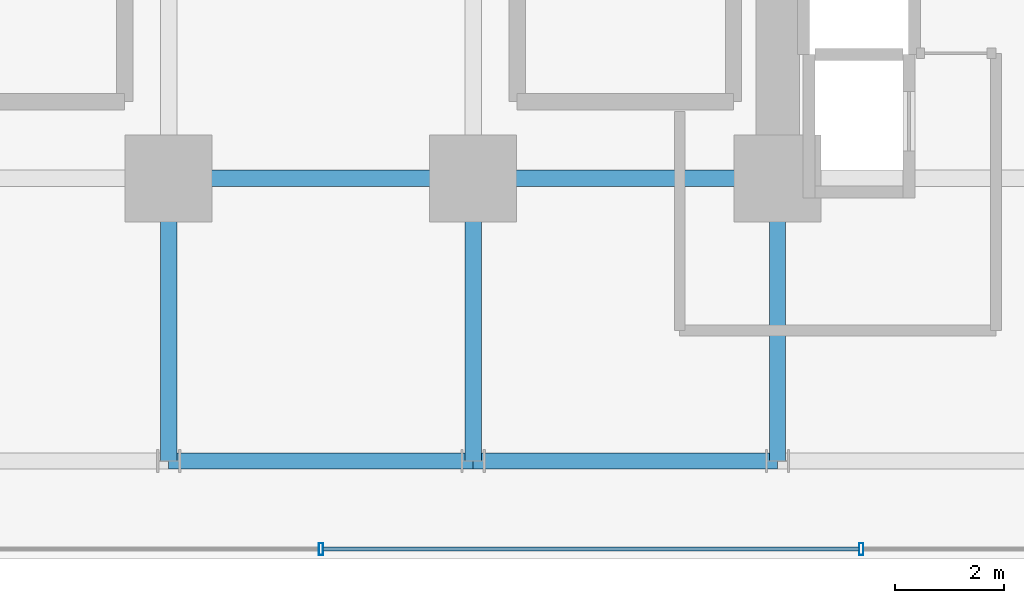
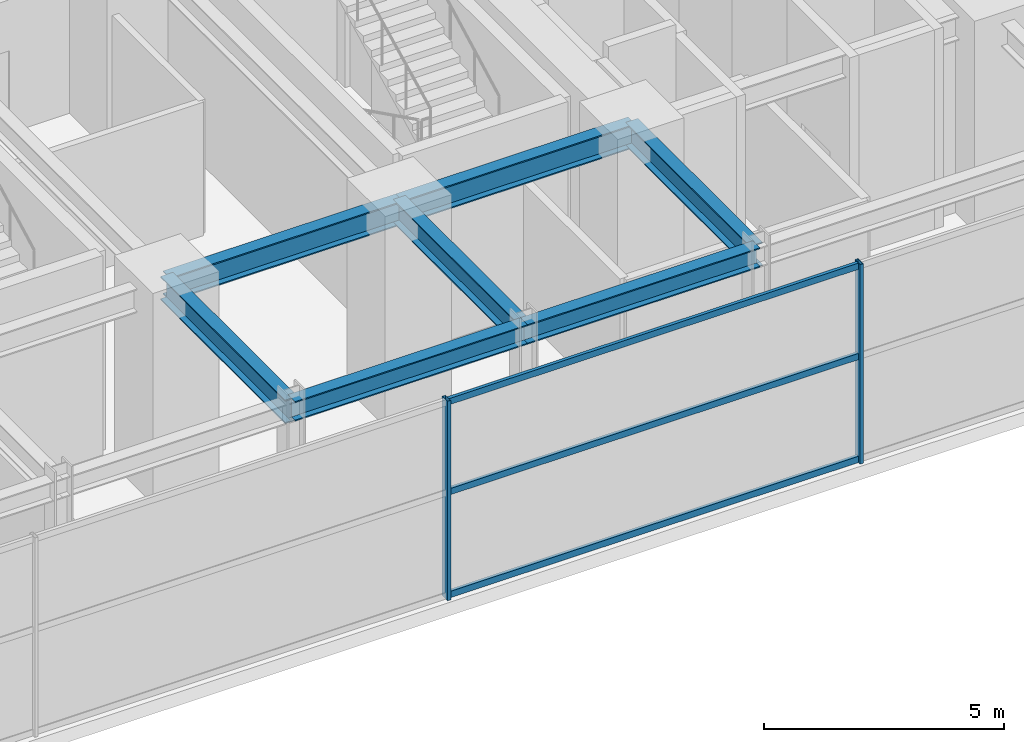
# One storey, part 9 of 34: 7 beams, 5 members, 1 element without a shape of its own.
"""IFC4 building model written with IfcOpenShell, lengths in metres."""

import ifcopenshell
import ifcopenshell.guid

model = None  # the IFC model being written
_history = None  # IfcOwnerHistory: only IFC2X3 demands one
_inside = {}  # id of a spatial element -> (the spatial element, [elements in it])
_under = {}  # id of a project, library or spatial element -> (it, [spatial elements below it])
_declared = {}  # id of a project -> (the project, [libraries it declares])
_typed = {}  # id of a type object -> (the type object, [elements of that type])
_made_of = {}  # id of a material, layer set ... -> (it, [elements and type objects made of it])


def new_model(schema):
    """Start an empty IFC model of exactly this schema.

    Asked for "IFC4X3", IfcOpenShell would pick the latest addendum, in which some entities
    have other attributes; the version numbers below select the first issue.
    IFC2X3 requires an IfcOwnerHistory on every rooted entity: one is made here for all.
    """
    global model, _history
    if schema == "IFC4X3":
        model = ifcopenshell.file(schema_version=(4, 3, 0, 0))
    else:
        model = ifcopenshell.file(schema=schema)
    _inside.clear()
    _under.clear()
    _declared.clear()
    _typed.clear()
    _made_of.clear()
    _history = None
    if model.schema == "IFC2X3":
        org = make("IfcOrganization", Name="unknown")
        user = make(
            "IfcPersonAndOrganization",
            ThePerson=make("IfcPerson", FamilyName="unknown"),
            TheOrganization=org,
        )
        app = make(
            "IfcApplication",
            ApplicationDeveloper=org,
            Version="unknown",
            ApplicationFullName="unknown",
            ApplicationIdentifier="unknown",
        )
        _history = make(
            "IfcOwnerHistory",
            OwningUser=user,
            OwningApplication=app,
            ChangeAction="ADDED",
            CreationDate=0,
        )
    return model


def make(cls, **values):
    """One entity of the class cls with the attributes given. An attribute that is None is left unset."""
    return model.create_entity(
        cls, **{name: value for name, value in values.items() if value is not None}
    )


def rooted(cls, **values):
    """An entity with a GlobalId (a new one), such as an element, a storey or a relation."""
    return make(cls, GlobalId=ifcopenshell.guid.new(), OwnerHistory=_history, **values)


def si_unit(unit_type, name, prefix=None):
    """IfcSIUnit, for example si_unit("LENGTHUNIT", "METRE", prefix="MILLI")."""
    return make("IfcSIUnit", UnitType=unit_type, Prefix=prefix, Name=name)


def assignment(units):
    """IfcUnitAssignment: the units of a project."""
    return None if units is None else make("IfcUnitAssignment", Units=units)


def point(xyz):
    """IfcCartesianPoint."""
    return None if xyz is None else make("IfcCartesianPoint", Coordinates=xyz)


def direction(xyz):
    """IfcDirection."""
    return None if xyz is None else make("IfcDirection", DirectionRatios=xyz)


def frame(location, z_axis=None, x_axis=None):
    """IfcAxis2Placement3D, a coordinate frame: its origin and axes. An axis left out is left unset."""
    return make(
        "IfcAxis2Placement3D",
        Location=point(location),
        Axis=direction(z_axis),
        RefDirection=direction(x_axis),
    )


def frame_2d(location, x_axis=None):
    """IfcAxis2Placement2D, a coordinate frame in the plane: its origin and x axis."""
    return make(
        "IfcAxis2Placement2D", Location=point(location), RefDirection=direction(x_axis)
    )


def origin():
    """The frame at (0, 0, 0) with its axes left unset."""
    return frame((0.0, 0.0, 0.0))


def origin_2d():
    """The frame at (0, 0) in the plane with its x axis left unset."""
    return frame_2d((0.0, 0.0))


def place(relative_to, where):
    """IfcLocalPlacement: puts the frame where relative to a parent placement (None: the world)."""
    return make(
        "IfcLocalPlacement", PlacementRelTo=relative_to, RelativePlacement=where
    )


def context(
    kind, dimensions, precision=None, world=None, true_north=None, identifier=None
):
    """IfcGeometricRepresentationContext, for example the 3D "Model" context."""
    return make(
        "IfcGeometricRepresentationContext",
        ContextIdentifier=identifier,
        ContextType=kind,
        CoordinateSpaceDimension=dimensions,
        Precision=precision,
        WorldCoordinateSystem=world,
        TrueNorth=true_north,
    )


def subcontext(parent, identifier, kind, view, scale=None):
    """IfcGeometricRepresentationSubContext, for example "Body" below "Model"."""
    return make(
        "IfcGeometricRepresentationSubContext",
        ContextIdentifier=identifier,
        ContextType=kind,
        ParentContext=parent,
        TargetScale=scale,
        TargetView=view,
    )


def project(units=None, contexts=None):
    """IfcProject with its units and contexts."""
    return rooted(
        "IfcProject",
        Name="project",
        RepresentationContexts=contexts,
        UnitsInContext=assignment(units),
    )


def spatial(cls, under=None, at=None, **own):
    """A site, building, storey or space (cls), placed at a placement, below another one or the project."""
    s = rooted(cls, ObjectPlacement=at, **own)
    if under is not None:
        _under.setdefault(under.id(), (under, []))[1].append(s)
    return s


def profile(cls, at=None, kind="AREA", **sizes):
    """A parametric profile (cls). Its sizes go by their IFC names, for example OverallWidth=200.0."""
    return make(cls, ProfileType=kind, Position=at, **sizes)


def hollow_rectangle(**sizes):
    """IfcRectangleHollowProfileDef."""
    return profile("IfcRectangleHollowProfileDef", **sizes)


def i_section(**sizes):
    """IfcIShapeProfileDef."""
    return profile("IfcIShapeProfileDef", **sizes)


def extrude(swept, where, along, depth):
    """IfcExtrudedAreaSolid: the profile swept, set in the frame where, extruded along a direction by depth."""
    return make(
        "IfcExtrudedAreaSolid",
        SweptArea=swept,
        Position=where,
        ExtrudedDirection=direction(along),
        Depth=depth,
    )


def shape(context_of_items, identifier, shape_type, items):
    """IfcShapeRepresentation: the items that make up one representation, for example the "Body"."""
    return make(
        "IfcShapeRepresentation",
        ContextOfItems=context_of_items,
        RepresentationIdentifier=identifier,
        RepresentationType=shape_type,
        Items=items,
    )


def source(mapping_origin, context_of_items, identifier, shape_type, items):
    """IfcRepresentationMap: a shape defined once, which mapped items show again and again."""
    return make(
        "IfcRepresentationMap",
        MappingOrigin=mapping_origin,
        MappedRepresentation=shape(context_of_items, identifier, shape_type, items),
    )


def transform(
    local_origin,
    x_axis=None,
    y_axis=None,
    z_axis=None,
    scale=None,
    scale2=None,
    scale3=None,
    uniform=True,
):
    """IfcCartesianTransformationOperator3D, or its non-uniform kind. x_axis, y_axis, z_axis: its Axis1, 2, 3."""
    if uniform:
        return make(
            "IfcCartesianTransformationOperator3D",
            Axis1=direction(x_axis),
            Axis2=direction(y_axis),
            LocalOrigin=point(local_origin),
            Scale=scale,
            Axis3=direction(z_axis),
        )
    return make(
        "IfcCartesianTransformationOperator3DnonUniform",
        Axis1=direction(x_axis),
        Axis2=direction(y_axis),
        LocalOrigin=point(local_origin),
        Scale=scale,
        Axis3=direction(z_axis),
        Scale2=scale2,
        Scale3=scale3,
    )


def mapped(mapping_source, mapping_target):
    """IfcMappedItem: shows the shape of a source again, moved by a transform."""
    return make(
        "IfcMappedItem", MappingSource=mapping_source, MappingTarget=mapping_target
    )


def material(Name=None, Category=None):
    """IfcMaterial."""
    return make("IfcMaterial", Name=Name, Category=Category)


def material_profile(
    of_material, cross_section, Name=None, Category=None, Priority=None
):
    """IfcMaterialProfile: a cross section and its material."""
    return make(
        "IfcMaterialProfile",
        Name=Name,
        Material=of_material,
        Profile=cross_section,
        Priority=Priority,
        Category=Category,
    )


def profile_set(profiles, Name=None, composite=None):
    """IfcMaterialProfileSet."""
    return make(
        "IfcMaterialProfileSet",
        Name=Name,
        MaterialProfiles=profiles,
        CompositeProfile=composite,
    )


def made_of(thing, what):
    """Note that an element or type object is made of a material, layer set ...; save() writes the relation."""
    if what is not None:
        _made_of.setdefault(what.id(), (what, []))[1].append(thing)
    return thing


def type_object(cls, material=None, **own):
    """A type object (cls), such as IfcWallType, which elements share."""
    return made_of(rooted(cls, **own), material)


def element(
    cls,
    number,
    at=None,
    inside=None,
    cuts=None,
    type_object=None,
    material=None,
    context=None,
    identifier="Body",
    shape_type=None,
    held_by="IfcProductDefinitionShape",
    body=None,
    shapes=None,
    **own,
):
    """One element of the class cls, such as IfcWall. Its Tag is "e" and its number.

    at: its placement. inside: the storey or other place that contains it. cuts: it is an
    opening in that element (IfcRelVoidsElement). A single representation is given by context,
    identifier, shape_type and body (its items); several are given by shapes. held_by: the class
    of the entity that holds the representations. save() writes the other relations.
    """
    e = rooted(cls, Tag="e%d" % number, ObjectPlacement=at, **own)
    if body is not None:
        shapes = [shape(context, identifier, shape_type, body)]
    if shapes is not None:
        e.Representation = make(held_by, Representations=shapes)
    if inside is not None:
        _inside.setdefault(inside.id(), (inside, []))[1].append(e)
    if cuts is not None:
        rooted(
            "IfcRelVoidsElement", RelatingBuildingElement=cuts, RelatedOpeningElement=e
        )
    if type_object is not None:
        _typed.setdefault(type_object.id(), (type_object, []))[1].append(e)
    return made_of(e, material)


def aggregate(whole, parts):
    """IfcRelAggregates: a whole, such as a stair, and the parts it consists of."""
    return rooted("IfcRelAggregates", RelatingObject=whole, RelatedObjects=parts)


def save(model, path):
    """Write the relations noted so far, then the file.

    IfcRelAggregates (storeys below a building ...), IfcRelContainedInSpatialStructure (elements
    in a storey), IfcRelDefinesByType, IfcRelAssociatesMaterial and IfcRelDeclares: one each for
    every whole, place, type object, material and project.
    """
    for whole, parts in _under.values():
        aggregate(whole, parts)
    for where, things in _inside.values():
        rooted(
            "IfcRelContainedInSpatialStructure",
            RelatedElements=things,
            RelatingStructure=where,
        )
    for kind, things in _typed.values():
        rooted("IfcRelDefinesByType", RelatedObjects=things, RelatingType=kind)
    for what, things in _made_of.values():
        rooted("IfcRelAssociatesMaterial", RelatedObjects=things, RelatingMaterial=what)
    for by, libraries in _declared.values():
        rooted("IfcRelDeclares", RelatingContext=by, RelatedDefinitions=libraries)
    model.write(path)


model = new_model("IFC4")

# Units and contexts
model_context = context("Model", 3, precision=1e-05, world=origin(), true_north=direction((0.0, 1.0)))
body_context = subcontext(model_context, "Body", "Model", "MODEL_VIEW")
ifc_project = project(units=[si_unit("LENGTHUNIT", "METRE"), si_unit("AREAUNIT", "SQUARE_METRE"), si_unit("VOLUMEUNIT", "CUBIC_METRE"), si_unit("PLANEANGLEUNIT", "RADIAN"), si_unit("MASSUNIT", "GRAM", prefix="KILO")], contexts=[model_context])

# Site, building, storey
site_placement = place(None, origin())
site = spatial("IfcSite", under=ifc_project, at=site_placement, CompositionType="ELEMENT")
building_placement = place(site_placement, origin())
building = spatial("IfcBuilding", under=site, at=building_placement, Name="Nahalor Promenade Grand Hotel", CompositionType="ELEMENT")
storey_placement = place(building_placement, frame((0.0, 0.0, 16.199951171875)))
storey = spatial("IfcBuildingStorey", under=building, at=storey_placement, Name="L03", CompositionType="ELEMENT", Elevation=16.199951171875)

# Beams
ifc_material_1 = material(Name="Steel S355JR", Category="steel")
ifc_material_profile_1 = material_profile(ifc_material_1, i_section(OverallWidth=0.3, OverallDepth=0.6, WebThickness=0.0155, FlangeThickness=0.03, at=origin_2d()), Name="HEB 600")
ifc_profile_set_1 = profile_set([ifc_material_profile_1], Name="Steel S355JR")
beam_type_1 = type_object("IfcBeamType", Name="Beam-Girder-HEB600", PredefinedType="BEAM", material=ifc_profile_set_1)
shared_shape_1 = source(origin(), body_context, "Body", "SweptSolid", [
    extrude(i_section(OverallWidth=0.3, OverallDepth=0.6, WebThickness=0.0155, FlangeThickness=0.03, at=origin_2d()), origin(), (0.0, 0.0, 1.0), 5.599853515625),
])
beam_1_placement = place(storey_placement, frame((2.800048828125, -17.0, 4.780029296875), z_axis=(1.0, 0.0, 0.0), x_axis=(0.0, 1.0, 0.0)))
element("IfcBeam", 1, at=beam_1_placement, inside=storey, type_object=beam_type_1, Name="BM-L03-GX-0-5", PredefinedType="BEAM", context=body_context, shape_type="MappedRepresentation", body=[
    mapped(shared_shape_1, transform((0.0, 0.0, 0.0), scale=1.0)),
])
shared_shape_2 = source(origin(), body_context, "Body", "SweptSolid", [
    extrude(i_section(OverallWidth=0.3, OverallDepth=0.6, WebThickness=0.0155, FlangeThickness=0.03, at=origin_2d()), origin(), (0.0, 0.0, 1.0), 5.60009765625),
])
beam_2_placement = place(storey_placement, frame((-2.800048828125, -17.0, 4.780029296875), z_axis=(1.0, 0.0, 0.0), x_axis=(0.0, 1.0, 0.0)))
element("IfcBeam", 2, at=beam_2_placement, inside=storey, type_object=beam_type_1, Name="BM-L03-GX-0-4", PredefinedType="BEAM", context=body_context, shape_type="MappedRepresentation", body=[
    mapped(shared_shape_2, transform((0.0, 0.0, 0.0), scale=1.0)),
])
shared_shape_3 = source(origin(), body_context, "Body", "SweptSolid", [
    extrude(i_section(OverallWidth=0.3, OverallDepth=0.6, WebThickness=0.0155, FlangeThickness=0.03, at=origin_2d()), origin(), (0.0, 0.0, 1.0), 5.199951171875),
])
for number, where, z_axis, x_axis, name in (
    (3, (-2.800048828125, -22.199951171875, 4.780029296875), (0.0, 1.0, 0.0), (-1.0, 0.0, 0.0), "BM-L03-GY-2-0"),
    (4, (2.800048828125, -22.199951171875, 4.780029296875), (0.0, 1.0, 0.0), (-1.0, 0.0, 0.0), "BM-L03-GY-3-0"),
    (5, (8.39990234375, -22.199951171875, 4.780029296875), (0.0, 1.0, 0.0), (-1.0, 0.0, 0.0), "BM-L03-GY-4-0"),
):
    element("IfcBeam", number, at=place(storey_placement, frame(where, z_axis=z_axis, x_axis=x_axis)), inside=storey, type_object=beam_type_1, Name=name, PredefinedType="BEAM", context=body_context, shape_type="MappedRepresentation", body=[
        mapped(shared_shape_3, transform((0.0, 0.0, 0.0), scale=1.0)),
    ])
ifc_material_profile_2 = material_profile(ifc_material_1, i_section(OverallWidth=0.3, OverallDepth=0.5, WebThickness=0.0145, FlangeThickness=0.028, at=origin_2d()), Name="HEB 500")
ifc_profile_set_2 = profile_set([ifc_material_profile_2], Name="Steel S355JR")
beam_type_2 = type_object("IfcBeamType", Name="Beam-Spandrel-HEB500", PredefinedType="SPANDREL", material=ifc_profile_set_2)
shared_shape_4 = source(origin(), body_context, "Body", "SweptSolid", [
    extrude(i_section(OverallWidth=0.3, OverallDepth=0.5, WebThickness=0.0145, FlangeThickness=0.028, at=origin_2d()), origin(), (0.0, 0.0, 1.0), 5.599853515625),
])
beam_3_placement = place(storey_placement, frame((2.800048828125, -22.199951171875, 4.830078125), z_axis=(1.0, 0.0, 0.0), x_axis=(0.0, 1.0, 0.0)))
element("IfcBeam", 6, at=beam_3_placement, inside=storey, type_object=beam_type_2, Name="BM-L03-SP-S-3", PredefinedType="SPANDREL", context=body_context, shape_type="MappedRepresentation", body=[
    mapped(shared_shape_4, transform((0.0, 0.0, 0.0), scale=1.0)),
])
shared_shape_5 = source(origin(), body_context, "Body", "SweptSolid", [
    extrude(i_section(OverallWidth=0.3, OverallDepth=0.5, WebThickness=0.0145, FlangeThickness=0.028, at=origin_2d()), origin(), (0.0, 0.0, 1.0), 5.60009765625),
])
beam_4_placement = place(storey_placement, frame((-2.800048828125, -22.199951171875, 4.830078125), z_axis=(1.0, 0.0, 0.0), x_axis=(0.0, 1.0, 0.0)))
element("IfcBeam", 7, at=beam_4_placement, inside=storey, type_object=beam_type_2, Name="BM-L03-SP-S-2", PredefinedType="SPANDREL", context=body_context, shape_type="MappedRepresentation", body=[
    mapped(shared_shape_5, transform((0.0, 0.0, 0.0), scale=1.0)),
])

# Curtain wall, members
ifc_material_2 = material(Name="Anodised Bronze Aluminium EN AW-6063 T6", Category="aluminium")
curtain_wall_type = type_object("IfcCurtainWallType", Name="CW1 Waterfront Podium Bronze Arcade Curtain Wall", PredefinedType="USERDEFINED", material=ifc_material_2)
curtain_wall_placement = place(storey_placement, origin())
curtain_wall = element("IfcCurtainWall", 8, at=curtain_wall_placement, inside=storey, type_object=curtain_wall_type, Name="L03 Curtain Wall CW-L03-S", ObjectType="UNITISED_CURTAIN_WALL", PredefinedType="USERDEFINED")
ifc_material_profile_3 = material_profile(ifc_material_2, hollow_rectangle(XDim=0.08, YDim=0.22, WallThickness=0.005, at=origin_2d()), Name="CWM 80x220x5")
ifc_profile_set_3 = profile_set([ifc_material_profile_3], Name="Anodised Bronze Aluminium EN AW-6063 T6")
member_type_1 = type_object("IfcMemberType", Name="CWM1 Podium Bronze Mullion 80x220", PredefinedType="MULLION", material=ifc_profile_set_3)
shared_shape_6 = source(origin(), body_context, "Body", "SweptSolid", [
    extrude(hollow_rectangle(XDim=0.08, YDim=0.22, WallThickness=0.005, at=origin_2d()), origin(), (0.0, 0.0, 1.0), 5.080078125),
])
member_1_placement = place(storey_placement, frame((0.0, -23.820068359375, 0.0), z_axis=(0.0, 0.0, 1.0), x_axis=(1.0, 0.0, 0.0)))
member_1 = element("IfcMember", 9, at=member_1_placement, type_object=member_type_1, Name="CW-L03-S Mullion 3", PredefinedType="MULLION", context=body_context, shape_type="MappedRepresentation", body=[
    mapped(shared_shape_6, transform((0.0, 0.0, 0.0), scale=1.0)),
])
member_2_placement = place(storey_placement, frame((9.93994140625, -23.820068359375, 0.0), z_axis=(0.0, 0.0, 1.0), x_axis=(1.0, 0.0, 0.0)))
member_2 = element("IfcMember", 10, at=member_2_placement, type_object=member_type_1, Name="CW-L03-S Mullion 4", PredefinedType="MULLION", context=body_context, shape_type="MappedRepresentation", body=[
    mapped(shared_shape_6, transform((0.0, 0.0, 0.0), scale=1.0)),
])
ifc_material_profile_4 = material_profile(ifc_material_2, hollow_rectangle(XDim=0.08, YDim=0.16, WallThickness=0.004, at=origin_2d()), Name="CWT 80x160x4")
ifc_profile_set_4 = profile_set([ifc_material_profile_4], Name="Anodised Bronze Aluminium EN AW-6063 T6")
member_type_2 = type_object("IfcMemberType", Name="CWT1 Podium Bronze Transom 80x160", PredefinedType="USERDEFINED", material=ifc_profile_set_4)
shared_shape_7 = source(origin(), body_context, "Body", "SweptSolid", [
    extrude(hollow_rectangle(XDim=0.08, YDim=0.16, WallThickness=0.004, at=origin_2d()), origin(), (0.0, 0.0, 1.0), 9.85986328125),
])
member_3_placement = place(storey_placement, frame((0.0400390625, -23.820068359375, 0.080078125), z_axis=(1.0, 0.0, 0.0), x_axis=(0.0, 1.0, 0.0)))
member_3 = element("IfcMember", 11, at=member_3_placement, type_object=member_type_2, Name="CW-L03-S Transom 3-0", ObjectType="TRANSOM", PredefinedType="USERDEFINED", context=body_context, shape_type="MappedRepresentation", body=[
    mapped(shared_shape_7, transform((0.0, 0.0, 0.0), scale=1.0)),
])
member_4_placement = place(storey_placement, frame((0.0400390625, -23.820068359375, 2.699951171875), z_axis=(1.0, 0.0, 0.0), x_axis=(0.0, 1.0, 0.0)))
member_4 = element("IfcMember", 12, at=member_4_placement, type_object=member_type_2, Name="CW-L03-S Transom 3-1", ObjectType="TRANSOM", PredefinedType="USERDEFINED", context=body_context, shape_type="MappedRepresentation", body=[
    mapped(shared_shape_7, transform((0.0, 0.0, 0.0), scale=1.0)),
])
member_5_placement = place(storey_placement, frame((0.0400390625, -23.820068359375, 5.0), z_axis=(1.0, 0.0, 0.0), x_axis=(0.0, 1.0, 0.0)))
member_5 = element("IfcMember", 13, at=member_5_placement, type_object=member_type_2, Name="CW-L03-S Transom 3-2", ObjectType="TRANSOM", PredefinedType="USERDEFINED", context=body_context, shape_type="MappedRepresentation", body=[
    mapped(shared_shape_7, transform((0.0, 0.0, 0.0), scale=1.0)),
])
aggregate(curtain_wall, [member_1, member_2, member_3, member_4, member_5])

save(model, "model.ifc")
